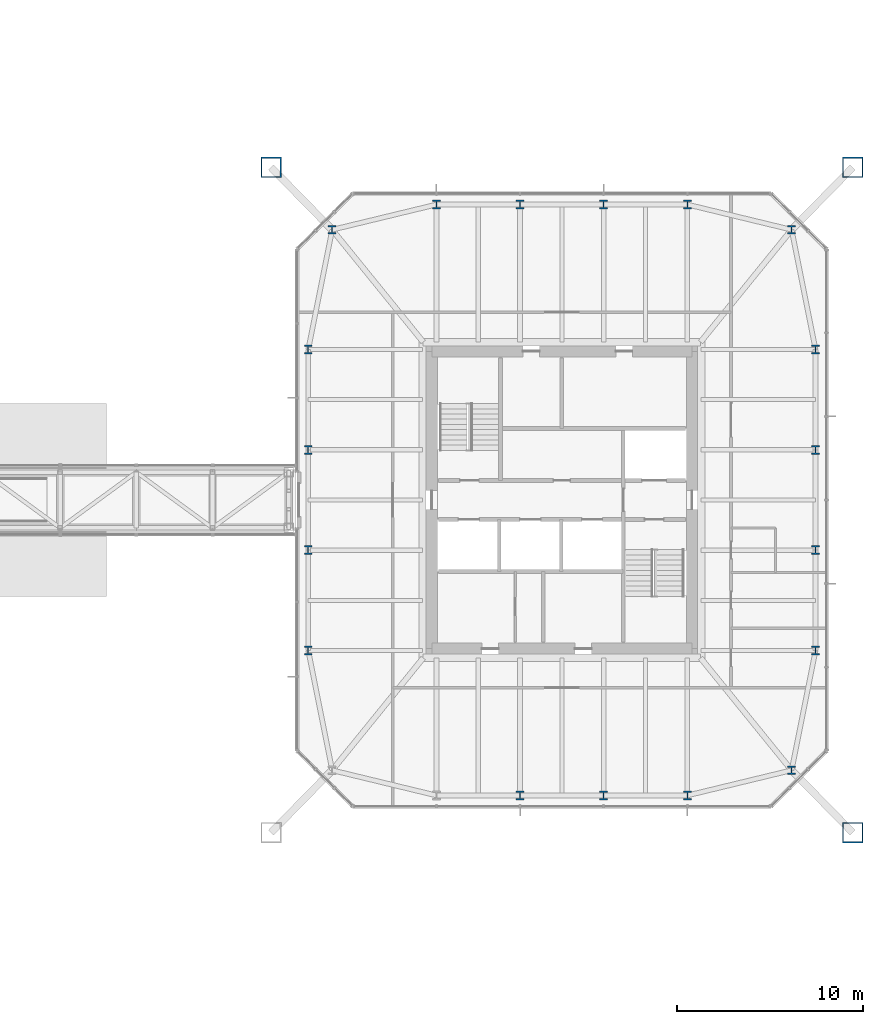
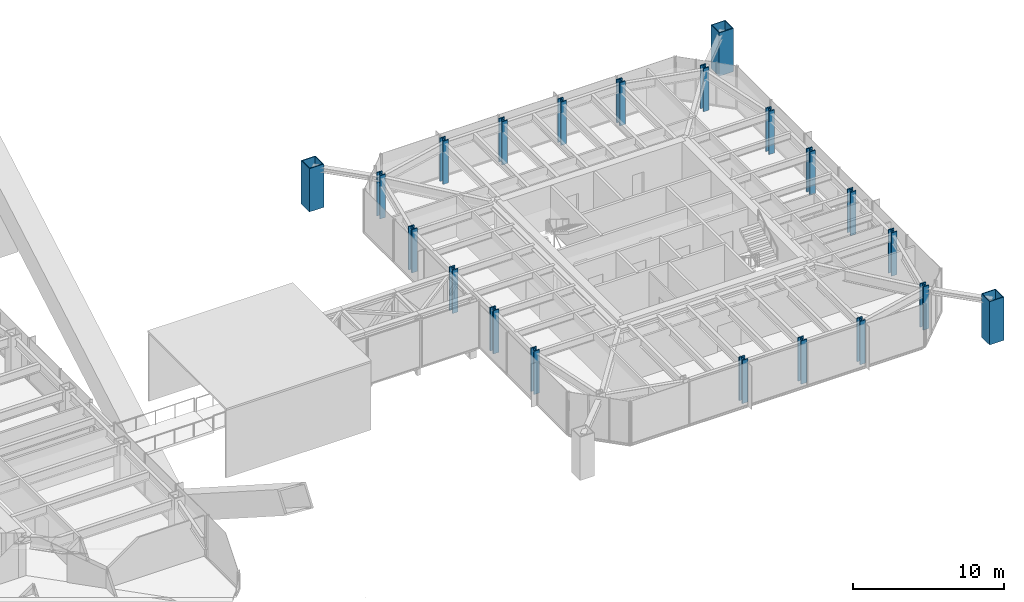
# One storey, part 2 of 28: 21 columns.
"""IFC4 building model written with IfcOpenShell, lengths in metres."""

from ifc_helpers import new_model, si_unit, direction, frame, origin, origin_2d, place, context, subcontext, project, spatial, hollow_rectangle, i_section, extrude, material, material_profile, profile_set, type_object, element, save


model = new_model("IFC4")

# Units and contexts
model_context = context("Model", 3, precision=1e-05, world=origin(), true_north=direction((0.0, 1.0)))
body_context = subcontext(model_context, "Body", "Model", "MODEL_VIEW")
ifc_project = project(units=[si_unit("LENGTHUNIT", "METRE"), si_unit("AREAUNIT", "SQUARE_METRE"), si_unit("VOLUMEUNIT", "CUBIC_METRE"), si_unit("PLANEANGLEUNIT", "RADIAN"), si_unit("MASSUNIT", "GRAM", prefix="KILO")], contexts=[model_context])

# Site, building, storey
site_placement = place(None, origin())
site = spatial("IfcSite", under=ifc_project, at=site_placement, CompositionType="ELEMENT")
building_placement = place(site_placement, origin())
building = spatial("IfcBuilding", under=site, at=building_placement, Name="Iwan Alto Co-Living Towers", CompositionType="ELEMENT")
storey_placement = place(building_placement, frame((0.0, 0.0, 98.0)))
storey = spatial("IfcBuildingStorey", under=building, at=storey_placement, Name="L26", CompositionType="ELEMENT", Elevation=98.0)

# Columns
ifc_material_1 = material(Name="Steel ASTM A572 Gr 50", Category="steel")
ifc_material_profile_1 = material_profile(ifc_material_1, hollow_rectangle(XDim=1.10009765625, YDim=1.10009765625, WallThickness=0.06005859375, at=origin_2d()), Name="BOX 1100X1100X60")
ifc_profile_set_1 = profile_set([ifc_material_profile_1], Name="Steel ASTM A572 Gr 50")
column_type_1 = type_object("IfcColumnType", Name="T2 MEGA COLUMN BOX 1100X1100X60", PredefinedType="COLUMN", material=ifc_profile_set_1)
for number, where, z_axis, x_axis, name in (
    (1, (78.64990234375, -17.89990234375, 0.0), (0.0, 0.0, 1.0), (1.0, 0.0, 0.0), "T2 mega column SE L26"),
    (2, (78.64990234375, 17.89990234375, 0.0), (0.0, 0.0, 1.0), (1.0, 0.0, 0.0), "T2 mega column NE L26"),
    (3, (47.35009765625, 17.89990234375, 0.0), (0.0, 0.0, 1.0), (1.0, 0.0, 0.0), "T2 mega column NW L26"),
):
    element("IfcColumn", number, at=place(storey_placement, frame(where, z_axis=z_axis, x_axis=x_axis)), inside=storey, type_object=column_type_1, Name=name, PredefinedType="COLUMN", context=body_context, shape_type="SweptSolid", body=[
        extrude(hollow_rectangle(XDim=1.10009765625, YDim=1.10009765625, WallThickness=0.06005859375, at=origin_2d()), origin(), (0.0, 0.0, 1.0), 3.5),
    ])
ifc_material_2 = material(Name="Steel ASTM A992 Gr 50", Category="steel")
ifc_material_profile_2 = material_profile(ifc_material_2, i_section(OverallWidth=0.4267578125, OverallDepth=0.482666015625, WebThickness=0.05126953125, FlangeThickness=0.08154296875, at=origin_2d()), Name="W14X455")
ifc_profile_set_2 = profile_set([ifc_material_profile_2], Name="Steel ASTM A992 Gr 50")
column_type_2 = type_object("IfcColumnType", Name="T2 RING COLUMN W14X455", PredefinedType="COLUMN", material=ifc_profile_set_2)
for number, where, z_axis, x_axis, name in (
    (4, (60.75, -15.89990234375, 0.0), (0.0, 0.0, 1.0), (1.0, 0.0, 0.0), "T2 ring column S2 L26"),
    (5, (65.25, -15.89990234375, 0.0), (0.0, 0.0, 1.0), (1.0, 0.0, 0.0), "T2 ring column S3 L26"),
    (6, (69.75, -15.89990234375, 0.0), (0.0, 0.0, 1.0), (1.0, 0.0, 0.0), "T2 ring column S4 L26"),
    (7, (75.361328125, -14.542724609375, 0.0), (0.0, 0.0, 1.0), (1.0, 0.0, 0.0), "T2 ring column CSE L26"),
    (8, (76.64990234375, -8.10009765625, 0.0), (0.0, 0.0, 1.0), (1.0, 0.0, 0.0), "T2 ring column E1 L26"),
    (9, (76.64990234375, -2.699951171875, 0.0), (0.0, 0.0, 1.0), (1.0, 0.0, 0.0), "T2 ring column E2 L26"),
    (10, (76.64990234375, 2.699951171875, 0.0), (0.0, 0.0, 1.0), (1.0, 0.0, 0.0), "T2 ring column E3 L26"),
    (11, (76.64990234375, 8.10009765625, 0.0), (0.0, 0.0, 1.0), (1.0, 0.0, 0.0), "T2 ring column E4 L26"),
    (12, (75.361328125, 14.542724609375, 0.0), (0.0, 0.0, 1.0), (1.0, 0.0, 0.0), "T2 ring column CNE L26"),
    (13, (69.75, 15.89990234375, 0.0), (0.0, 0.0, 1.0), (1.0, 0.0, 0.0), "T2 ring column N1 L26"),
    (14, (65.25, 15.89990234375, 0.0), (0.0, 0.0, 1.0), (1.0, 0.0, 0.0), "T2 ring column N2 L26"),
    (15, (60.75, 15.89990234375, 0.0), (0.0, 0.0, 1.0), (1.0, 0.0, 0.0), "T2 ring column N3 L26"),
    (16, (56.25, 15.89990234375, 0.0), (0.0, 0.0, 1.0), (1.0, 0.0, 0.0), "T2 ring column N4 L26"),
    (17, (50.638671875, 14.542724609375, 0.0), (0.0, 0.0, 1.0), (1.0, 0.0, 0.0), "T2 ring column CNW L26"),
    (18, (49.35009765625, 8.10009765625, 0.0), (0.0, 0.0, 1.0), (1.0, 0.0, 0.0), "T2 ring column W1 L26"),
    (19, (49.35009765625, 2.699951171875, 0.0), (0.0, 0.0, 1.0), (1.0, 0.0, 0.0), "T2 ring column W2 L26"),
    (20, (49.35009765625, -2.699951171875, 0.0), (0.0, 0.0, 1.0), (1.0, 0.0, 0.0), "T2 ring column W3 L26"),
    (21, (49.35009765625, -8.10009765625, 0.0), (0.0, 0.0, 1.0), (1.0, 0.0, 0.0), "T2 ring column W4 L26"),
):
    element("IfcColumn", number, at=place(storey_placement, frame(where, z_axis=z_axis, x_axis=x_axis)), inside=storey, type_object=column_type_2, Name=name, PredefinedType="COLUMN", context=body_context, shape_type="SweptSolid", body=[
        extrude(i_section(OverallWidth=0.4267578125, OverallDepth=0.482666015625, WebThickness=0.05126953125, FlangeThickness=0.08154296875, at=origin_2d()), origin(), (0.0, 0.0, 1.0), 3.5),
    ])

save(model, "model.ifc")
